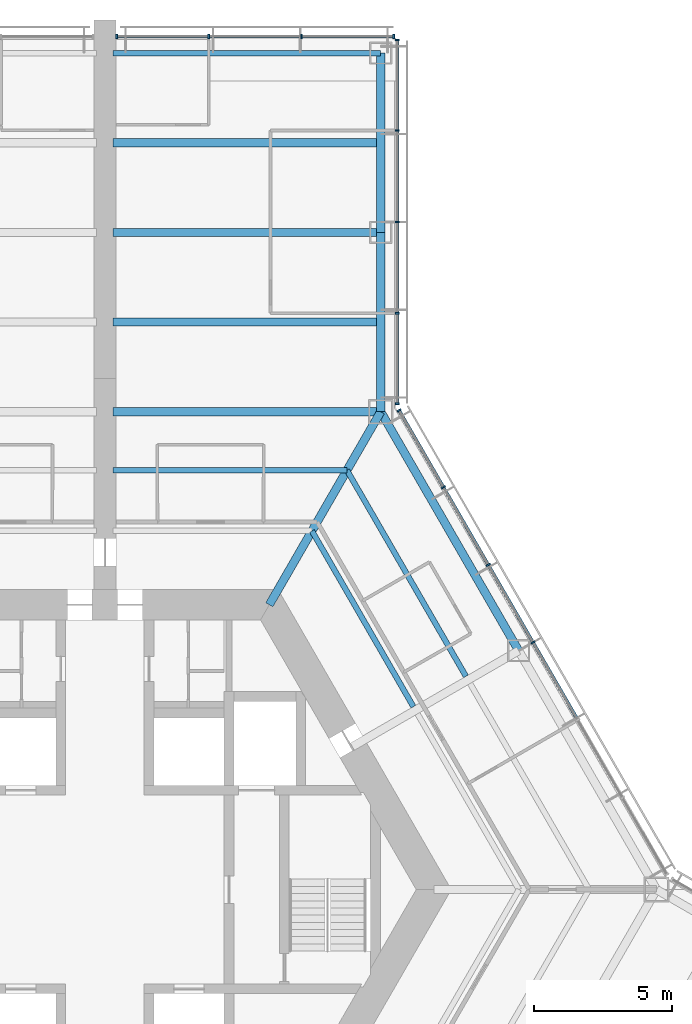
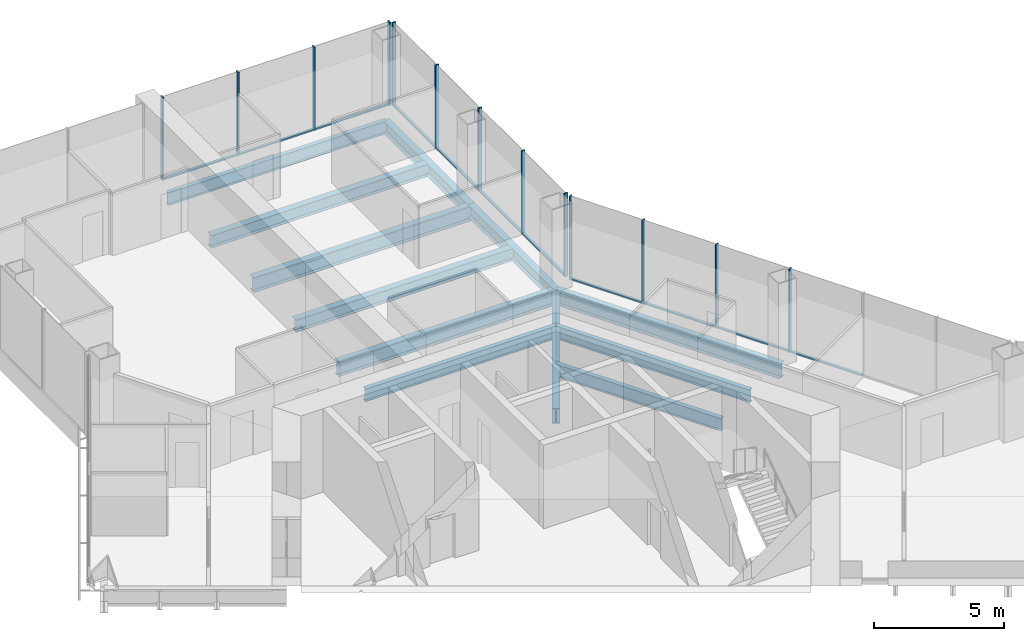
# One storey, part 8 of 19: 24 members, 12 beams, 3 elements without a shape of their own.
"""IFC4 building model written with IfcOpenShell, lengths in metres."""

from ifc_helpers import new_model, si_unit, direction, frame, origin, origin_2d, place, context, subcontext, project, spatial, rectangle, i_section, extrude, material, material_profile, profile_set, type_object, element, aggregate, save


model = new_model("IFC4")

# Units and contexts
model_context = context("Model", 3, precision=1e-05, world=origin(), true_north=direction((0.0, 1.0)))
body_context = subcontext(model_context, "Body", "Model", "MODEL_VIEW")
ifc_project = project(units=[si_unit("LENGTHUNIT", "METRE"), si_unit("AREAUNIT", "SQUARE_METRE"), si_unit("VOLUMEUNIT", "CUBIC_METRE"), si_unit("PLANEANGLEUNIT", "RADIAN"), si_unit("MASSUNIT", "GRAM", prefix="KILO")], contexts=[model_context])

# Site, building, storey
site_placement = place(None, origin())
site = spatial("IfcSite", under=ifc_project, at=site_placement, CompositionType="ELEMENT")
building_placement = place(site_placement, origin())
building = spatial("IfcBuilding", under=site, at=building_placement, Name="Kasaneha Research Tower", CompositionType="ELEMENT")
storey_placement = place(building_placement, frame((0.0, 0.0, 92.39990234375)))
storey = spatial("IfcBuildingStorey", under=building, at=storey_placement, Name="L23", CompositionType="ELEMENT", Elevation=92.39990234375)

# Beams
ifc_material_1 = material(Name="Steel SN490B", Category="steel")
ifc_material_profile_1 = material_profile(ifc_material_1, i_section(OverallWidth=0.199951171875, OverallDepth=0.60009765625, WebThickness=0.010986328125, FlangeThickness=0.01708984375, FilletRadius=0.012939453125, at=origin_2d()), Name="H-600x200x11x17")
ifc_profile_set_1 = profile_set([ifc_material_profile_1], Name="Steel SN490B")
beam_type_1 = type_object("IfcBeamType", Name="B1-3 secondary beam H-600x200x11x17", PredefinedType="JOIST", material=ifc_profile_set_1)
beam_1_placement = place(storey_placement, frame((7.505615234375, 13.0, -0.449951171875), z_axis=(0.499994443168, -0.866028611999, 0.0), x_axis=(0.866028611999, 0.499994443168, 0.0)))
element("IfcBeam", 1, at=beam_1_placement, inside=storey, type_object=beam_type_1, Name="Secondary beam RS030R1 L23", PredefinedType="JOIST", context=body_context, shape_type="SweptSolid", body=[
    extrude(i_section(OverallWidth=0.199951171875, OverallDepth=0.60009765625, WebThickness=0.010986328125, FlangeThickness=0.01708984375, FilletRadius=0.012939453125, at=origin_2d()), origin(), (0.0, 0.0, 1.0), 7.35546875),
])
beam_2_placement = place(storey_placement, frame((8.775634765625, 15.199951171875, -0.449951171875), z_axis=(0.500017275495, -0.866015429543, 0.0), x_axis=(0.866015429543, 0.500017275495, 0.0)))
element("IfcBeam", 2, at=beam_2_placement, inside=storey, type_object=beam_type_1, Name="Secondary beam RS030R2 L23", PredefinedType="JOIST", context=body_context, shape_type="SweptSolid", body=[
    extrude(i_section(OverallWidth=0.199951171875, OverallDepth=0.60009765625, WebThickness=0.010986328125, FlangeThickness=0.01708984375, FilletRadius=0.012939453125, at=origin_2d()), origin(), (0.0, 0.0, 1.0), 8.625732421875),
])
beam_3_placement = place(storey_placement, frame((8.775634765625, 15.199951171875, -0.449951171875), z_axis=(-1.0, 0.0, 0.0), x_axis=(0.0, -1.0, 0.0)))
element("IfcBeam", 3, at=beam_3_placement, inside=storey, type_object=beam_type_1, Name="Secondary beam RS090L2 L23", PredefinedType="JOIST", context=body_context, shape_type="SweptSolid", body=[
    extrude(i_section(OverallWidth=0.199951171875, OverallDepth=0.60009765625, WebThickness=0.010986328125, FlangeThickness=0.01708984375, FilletRadius=0.012939453125, at=origin_2d()), origin(), (0.0, 0.0, 1.0), 8.4755859375),
])
ifc_material_2 = material(Name="Steel SN490B", Category="steel")
ifc_material_profile_2 = material_profile(ifc_material_2, i_section(OverallWidth=0.300048828125, OverallDepth=0.58203125, WebThickness=0.011962890625, FlangeThickness=0.01708984375, FilletRadius=0.012939453125, at=origin_2d()), Name="H-582x300x12x17")
ifc_profile_set_2 = profile_set([ifc_material_profile_2], Name="Steel SN490B")
beam_type_2 = type_object("IfcBeamType", Name="B2-3 secondary beam H-582x300x12x17", PredefinedType="JOIST", material=ifc_profile_set_2)
for number, where, z_axis, x_axis, name in (
    (4, (10.0, 20.570556640625, -0.44091796875), (-1.0, 0.0, 0.0), (0.0, -1.0, 0.0), "Secondary beam WBAP1 L23"),
    (5, (10.0, 27.070556640625, -0.44091796875), (-1.0, 0.0, 0.0), (0.0, -1.0, 0.0), "Secondary beam WBAP2 L23"),
):
    element("IfcBeam", number, at=place(storey_placement, frame(where, z_axis=z_axis, x_axis=x_axis)), inside=storey, type_object=beam_type_2, Name=name, PredefinedType="JOIST", context=body_context, shape_type="SweptSolid", body=[
        extrude(i_section(OverallWidth=0.300048828125, OverallDepth=0.58203125, WebThickness=0.011962890625, FlangeThickness=0.01708984375, FilletRadius=0.012939453125, at=origin_2d()), origin(), (0.0, 0.0, 1.0), 9.699951171875),
    ])

# Curtain wall, members
ifc_material_3 = material(Name="Glass and aluminium", Category="aluminium")
curtain_wall_type = type_object("IfcCurtainWallType", Name="Low-rise office curtain wall", PredefinedType="USERDEFINED", material=ifc_material_3)
curtain_wall_1_placement = place(storey_placement, origin())
curtain_wall_1 = element("IfcCurtainWall", 6, at=curtain_wall_1_placement, inside=storey, type_object=curtain_wall_type, Name="CW-O1 L23 run 07a", ObjectType="UNITISED CURTAIN WALL", PredefinedType="USERDEFINED")
ifc_material_4 = material(Name="Aluminium 6063-T6", Category="aluminium")
ifc_material_profile_3 = material_profile(ifc_material_4, rectangle(XDim=0.06005859375, YDim=0.159912109375, at=origin_2d()), Name="CW-O1 mullion 60x160")
ifc_profile_set_3 = profile_set([ifc_material_profile_3], Name="Aluminium 6063-T6")
member_type_1 = type_object("IfcMemberType", Name="CW-O1 mullion", PredefinedType="MULLION", material=ifc_profile_set_3)
member_1_placement = place(storey_placement, frame((15.51953125, 8.960205078125, 0.0), z_axis=(0.0, 0.0, 1.0), x_axis=(-0.49999996188, 0.866025425793, 0.0)))
member_1 = element("IfcMember", 7, at=member_1_placement, type_object=member_type_1, Name="CW-O1 mullion 4", PredefinedType="MULLION", context=body_context, shape_type="SweptSolid", body=[
    extrude(rectangle(XDim=0.06005859375, YDim=0.159912109375, at=origin_2d()), origin(), (0.0, 0.0, 1.0), 3.900146484375),
])
member_2_placement = place(storey_placement, frame((13.896484375, 11.771728515625, 0.0), z_axis=(0.0, 0.0, 1.0), x_axis=(-0.49999996188, 0.866025425793, 0.0)))
member_2 = element("IfcMember", 8, at=member_2_placement, type_object=member_type_1, Name="CW-O1 mullion 5", PredefinedType="MULLION", context=body_context, shape_type="SweptSolid", body=[
    extrude(rectangle(XDim=0.06005859375, YDim=0.159912109375, at=origin_2d()), origin(), (0.0, 0.0, 1.0), 3.900146484375),
])
member_3_placement = place(storey_placement, frame((12.273193359375, 14.583251953125, 0.0), z_axis=(0.0, 0.0, 1.0), x_axis=(-0.49999996188, 0.866025425793, 0.0)))
member_3 = element("IfcMember", 9, at=member_3_placement, type_object=member_type_1, Name="CW-O1 mullion 6", PredefinedType="MULLION", context=body_context, shape_type="SweptSolid", body=[
    extrude(rectangle(XDim=0.06005859375, YDim=0.159912109375, at=origin_2d()), origin(), (0.0, 0.0, 1.0), 3.900146484375),
])
member_4_placement = place(storey_placement, frame((10.6650390625, 17.36865234375, 0.0), z_axis=(0.0, 0.0, 1.0), x_axis=(-0.49999996188, 0.866025425793, 0.0)))
member_4 = element("IfcMember", 10, at=member_4_placement, type_object=member_type_1, Name="CW-O1 mullion 7", PredefinedType="MULLION", context=body_context, shape_type="SweptSolid", body=[
    extrude(rectangle(XDim=0.06005859375, YDim=0.159912109375, at=origin_2d()), origin(), (0.0, 0.0, 1.0), 3.900146484375),
])

curtain_wall_2_placement = place(storey_placement, origin())
curtain_wall_2 = element("IfcCurtainWall", 11, at=curtain_wall_2_placement, inside=storey, type_object=curtain_wall_type, Name="CW-O1 L23 run 08a", ObjectType="UNITISED CURTAIN WALL", PredefinedType="USERDEFINED")
member_5_placement = place(storey_placement, frame((10.60009765625, 17.611328125, 0.0), z_axis=(0.0, 0.0, 1.0), x_axis=(0.0, 1.0, 0.0)))
member_5 = element("IfcMember", 12, at=member_5_placement, type_object=member_type_1, Name="CW-O1 mullion 1", PredefinedType="MULLION", context=body_context, shape_type="SweptSolid", body=[
    extrude(rectangle(XDim=0.06005859375, YDim=0.159912109375, at=origin_2d()), origin(), (0.0, 0.0, 1.0), 3.900146484375),
])
member_6_placement = place(storey_placement, frame((10.60009765625, 20.89111328125, 0.0), z_axis=(0.0, 0.0, 1.0), x_axis=(0.0, 1.0, 0.0)))
member_6 = element("IfcMember", 13, at=member_6_placement, type_object=member_type_1, Name="CW-O1 mullion 2", PredefinedType="MULLION", context=body_context, shape_type="SweptSolid", body=[
    extrude(rectangle(XDim=0.06005859375, YDim=0.159912109375, at=origin_2d()), origin(), (0.0, 0.0, 1.0), 3.900146484375),
])
member_7_placement = place(storey_placement, frame((10.60009765625, 24.200927734375, 0.0), z_axis=(0.0, 0.0, 1.0), x_axis=(0.0, 1.0, 0.0)))
member_7 = element("IfcMember", 14, at=member_7_placement, type_object=member_type_1, Name="CW-O1 mullion 3", PredefinedType="MULLION", context=body_context, shape_type="SweptSolid", body=[
    extrude(rectangle(XDim=0.06005859375, YDim=0.159912109375, at=origin_2d()), origin(), (0.0, 0.0, 1.0), 3.900146484375),
])
member_8_placement = place(storey_placement, frame((10.60009765625, 27.5107421875, 0.0), z_axis=(0.0, 0.0, 1.0), x_axis=(0.0, 1.0, 0.0)))
member_8 = element("IfcMember", 15, at=member_8_placement, type_object=member_type_1, Name="CW-O1 mullion 4", PredefinedType="MULLION", context=body_context, shape_type="SweptSolid", body=[
    extrude(rectangle(XDim=0.06005859375, YDim=0.159912109375, at=origin_2d()), origin(), (0.0, 0.0, 1.0), 3.900146484375),
])
member_9_placement = place(storey_placement, frame((10.60009765625, 30.79052734375, 0.0), z_axis=(0.0, 0.0, 1.0), x_axis=(0.0, 1.0, 0.0)))
member_9 = element("IfcMember", 16, at=member_9_placement, type_object=member_type_1, Name="CW-O1 mullion 5", PredefinedType="MULLION", context=body_context, shape_type="SweptSolid", body=[
    extrude(rectangle(XDim=0.06005859375, YDim=0.159912109375, at=origin_2d()), origin(), (0.0, 0.0, 1.0), 3.900146484375),
])

curtain_wall_3_placement = place(storey_placement, origin())
curtain_wall_3 = element("IfcCurtainWall", 17, at=curtain_wall_3_placement, inside=storey, type_object=curtain_wall_type, Name="CW-O1 L23 run 09a", ObjectType="UNITISED CURTAIN WALL", PredefinedType="USERDEFINED")
member_10_placement = place(storey_placement, frame((10.469970703125, 30.92041015625, 0.0), z_axis=(0.0, 0.0, 1.0), x_axis=(-1.0, 0.0, 0.0)))
member_10 = element("IfcMember", 18, at=member_10_placement, type_object=member_type_1, Name="CW-O1 mullion 1", PredefinedType="MULLION", context=body_context, shape_type="SweptSolid", body=[
    extrude(rectangle(XDim=0.06005859375, YDim=0.159912109375, at=origin_2d()), origin(), (0.0, 0.0, 1.0), 3.900146484375),
])
member_11_placement = place(storey_placement, frame((7.13330078125, 30.92041015625, 0.0), z_axis=(0.0, 0.0, 1.0), x_axis=(-1.0, 0.0, 0.0)))
member_11 = element("IfcMember", 19, at=member_11_placement, type_object=member_type_1, Name="CW-O1 mullion 2", PredefinedType="MULLION", context=body_context, shape_type="SweptSolid", body=[
    extrude(rectangle(XDim=0.06005859375, YDim=0.159912109375, at=origin_2d()), origin(), (0.0, 0.0, 1.0), 3.900146484375),
])
member_12_placement = place(storey_placement, frame((3.7666015625, 30.92041015625, 0.0), z_axis=(0.0, 0.0, 1.0), x_axis=(-1.0, 0.0, 0.0)))
member_12 = element("IfcMember", 20, at=member_12_placement, type_object=member_type_1, Name="CW-O1 mullion 3", PredefinedType="MULLION", context=body_context, shape_type="SweptSolid", body=[
    extrude(rectangle(XDim=0.06005859375, YDim=0.159912109375, at=origin_2d()), origin(), (0.0, 0.0, 1.0), 3.900146484375),
])
member_13_placement = place(storey_placement, frame((0.429931640625, 30.92041015625, 0.0), z_axis=(0.0, 0.0, 1.0), x_axis=(-1.0, 0.0, 0.0)))
member_13 = element("IfcMember", 21, at=member_13_placement, type_object=member_type_1, Name="CW-O1 mullion 4", PredefinedType="MULLION", context=body_context, shape_type="SweptSolid", body=[
    extrude(rectangle(XDim=0.06005859375, YDim=0.159912109375, at=origin_2d()), origin(), (0.0, 0.0, 1.0), 3.900146484375),
])

# Member
ifc_material_5 = material(Name="Aluminium 6063-T6", Category="aluminium")
ifc_material_profile_4 = material_profile(ifc_material_5, rectangle(XDim=0.1201171875, YDim=0.06005859375, at=origin_2d()), Name="CW-O1 transom 120x60")
ifc_profile_set_4 = profile_set([ifc_material_profile_4], Name="Aluminium 6063-T6")
member_type_2 = type_object("IfcMemberType", Name="CW-O1 transom", PredefinedType="USERDEFINED", material=ifc_profile_set_4)
member_14_placement = place(storey_placement, frame((17.1279296875, 6.1748046875, 0.030029296875), z_axis=(-0.500012062035, 0.866018439653, 0.0), x_axis=(-0.866018439653, -0.500012062035, 0.0)))
member_14 = element("IfcMember", 22, at=member_14_placement, type_object=member_type_2, Name="CW-O1 transom 3", ObjectType="TRANSOM", PredefinedType="USERDEFINED", context=body_context, shape_type="SweptSolid", body=[
    extrude(rectangle(XDim=0.1201171875, YDim=0.06005859375, at=origin_2d()), origin(), (0.0, 0.0, 1.0), 3.1865234375),
])

member_15_placement = place(storey_placement, frame((15.504638671875, 8.986328125, 0.030029296875), z_axis=(-0.500012062035, 0.866018439653, 0.0), x_axis=(-0.866018439653, -0.500012062035, 0.0)))
member_15 = element("IfcMember", 23, at=member_15_placement, type_object=member_type_2, Name="CW-O1 transom 4", ObjectType="TRANSOM", PredefinedType="USERDEFINED", context=body_context, shape_type="SweptSolid", body=[
    extrude(rectangle(XDim=0.1201171875, YDim=0.06005859375, at=origin_2d()), origin(), (0.0, 0.0, 1.0), 3.1865234375),
])

member_16_placement = place(storey_placement, frame((13.88134765625, 11.797607421875, 0.030029296875), z_axis=(-0.500012062035, 0.866018439653, 0.0), x_axis=(-0.866018439653, -0.500012062035, 0.0)))
member_16 = element("IfcMember", 24, at=member_16_placement, type_object=member_type_2, Name="CW-O1 transom 5", ObjectType="TRANSOM", PredefinedType="USERDEFINED", context=body_context, shape_type="SweptSolid", body=[
    extrude(rectangle(XDim=0.1201171875, YDim=0.06005859375, at=origin_2d()), origin(), (0.0, 0.0, 1.0), 3.1865234375),
])

member_17_placement = place(storey_placement, frame((12.25830078125, 14.609130859375, 0.030029296875), z_axis=(-0.500023726918, 0.866011704609, 0.0), x_axis=(-0.866011704609, -0.500023726918, 0.0)))
member_17 = element("IfcMember", 25, at=member_17_placement, type_object=member_type_2, Name="CW-O1 transom 6", ObjectType="TRANSOM", PredefinedType="USERDEFINED", context=body_context, shape_type="SweptSolid", body=[
    extrude(rectangle(XDim=0.1201171875, YDim=0.06005859375, at=origin_2d()), origin(), (0.0, 0.0, 1.0), 3.156494140625),
])

aggregate(curtain_wall_1, [member_1, member_2, member_3, member_4, member_14, member_15, member_16, member_17])

member_18_placement = place(storey_placement, frame((10.60009765625, 17.641357421875, 0.030029296875), z_axis=(0.0, 1.0, 0.0), x_axis=(-1.0, 0.0, 0.0)))
member_18 = element("IfcMember", 26, at=member_18_placement, type_object=member_type_2, Name="CW-O1 transom 1", ObjectType="TRANSOM", PredefinedType="USERDEFINED", context=body_context, shape_type="SweptSolid", body=[
    extrude(rectangle(XDim=0.1201171875, YDim=0.06005859375, at=origin_2d()), origin(), (0.0, 0.0, 1.0), 3.2197265625),
])

member_19_placement = place(storey_placement, frame((10.60009765625, 20.921142578125, 0.030029296875), z_axis=(0.0, 1.0, 0.0), x_axis=(-1.0, 0.0, 0.0)))
member_19 = element("IfcMember", 27, at=member_19_placement, type_object=member_type_2, Name="CW-O1 transom 2", ObjectType="TRANSOM", PredefinedType="USERDEFINED", context=body_context, shape_type="SweptSolid", body=[
    extrude(rectangle(XDim=0.1201171875, YDim=0.06005859375, at=origin_2d()), origin(), (0.0, 0.0, 1.0), 3.249755859375),
])

member_20_placement = place(storey_placement, frame((10.60009765625, 24.23095703125, 0.030029296875), z_axis=(0.0, 1.0, 0.0), x_axis=(-1.0, 0.0, 0.0)))
member_20 = element("IfcMember", 28, at=member_20_placement, type_object=member_type_2, Name="CW-O1 transom 3", ObjectType="TRANSOM", PredefinedType="USERDEFINED", context=body_context, shape_type="SweptSolid", body=[
    extrude(rectangle(XDim=0.1201171875, YDim=0.06005859375, at=origin_2d()), origin(), (0.0, 0.0, 1.0), 3.249755859375),
])

member_21_placement = place(storey_placement, frame((10.60009765625, 27.540771484375, 0.030029296875), z_axis=(0.0, 1.0, 0.0), x_axis=(-1.0, 0.0, 0.0)))
member_21 = element("IfcMember", 29, at=member_21_placement, type_object=member_type_2, Name="CW-O1 transom 4", ObjectType="TRANSOM", PredefinedType="USERDEFINED", context=body_context, shape_type="SweptSolid", body=[
    extrude(rectangle(XDim=0.1201171875, YDim=0.06005859375, at=origin_2d()), origin(), (0.0, 0.0, 1.0), 3.2197265625),
])

aggregate(curtain_wall_2, [member_5, member_6, member_7, member_8, member_9, member_18, member_19, member_20, member_21])

member_22_placement = place(storey_placement, frame((10.43994140625, 30.92041015625, 0.030029296875), z_axis=(-1.0, 0.0, 0.0), x_axis=(0.0, -1.0, 0.0)))
member_22 = element("IfcMember", 30, at=member_22_placement, type_object=member_type_2, Name="CW-O1 transom 1", ObjectType="TRANSOM", PredefinedType="USERDEFINED", context=body_context, shape_type="SweptSolid", body=[
    extrude(rectangle(XDim=0.1201171875, YDim=0.06005859375, at=origin_2d()), origin(), (0.0, 0.0, 1.0), 3.276611328125),
])

member_23_placement = place(storey_placement, frame((7.103271484375, 30.92041015625, 0.030029296875), z_axis=(-1.0, 0.0, 0.0), x_axis=(0.0, -1.0, 0.0)))
member_23 = element("IfcMember", 31, at=member_23_placement, type_object=member_type_2, Name="CW-O1 transom 2", ObjectType="TRANSOM", PredefinedType="USERDEFINED", context=body_context, shape_type="SweptSolid", body=[
    extrude(rectangle(XDim=0.1201171875, YDim=0.06005859375, at=origin_2d()), origin(), (0.0, 0.0, 1.0), 3.306640625),
])

member_24_placement = place(storey_placement, frame((3.736572265625, 30.92041015625, 0.030029296875), z_axis=(-1.0, 0.0, 0.0), x_axis=(0.0, -1.0, 0.0)))
member_24 = element("IfcMember", 32, at=member_24_placement, type_object=member_type_2, Name="CW-O1 transom 3", ObjectType="TRANSOM", PredefinedType="USERDEFINED", context=body_context, shape_type="SweptSolid", body=[
    extrude(rectangle(XDim=0.1201171875, YDim=0.06005859375, at=origin_2d()), origin(), (0.0, 0.0, 1.0), 3.276611328125),
])

aggregate(curtain_wall_3, [member_10, member_11, member_12, member_13, member_22, member_23, member_24])

# Beams
ifc_material_6 = material(Name="Steel SN490B", Category="steel")
ifc_material_profile_5 = material_profile(ifc_material_6, i_section(OverallWidth=0.300048828125, OverallDepth=0.699951171875, WebThickness=0.012939453125, FlangeThickness=0.02392578125, FilletRadius=0.01806640625, at=origin_2d()), Name="H-700x300x13x24")
ifc_profile_set_5 = profile_set([ifc_material_profile_5], Name="Steel SN490B")
beam_type_3 = type_object("IfcBeamType", Name="G1-3 radial girder H-700x300x13x24", PredefinedType="BEAM", material=ifc_profile_set_5)
beam_4_placement = place(storey_placement, frame((5.961181640625, 10.324951171875, -0.5), z_axis=(0.49999105496, 0.866030568144, 0.0), x_axis=(-0.866030568144, 0.49999105496, 0.0)))
element("IfcBeam", 33, at=beam_4_placement, inside=storey, type_object=beam_type_3, Name="Radial girder RV060 L23", PredefinedType="BEAM", context=body_context, shape_type="SweptSolid", body=[
    extrude(i_section(OverallWidth=0.300048828125, OverallDepth=0.699951171875, WebThickness=0.012939453125, FlangeThickness=0.02392578125, FilletRadius=0.01806640625, at=origin_2d()), origin(), (0.0, 0.0, 1.0), 8.077880859375),
])
ifc_material_7 = material(Name="Steel SN490B", Category="steel")
ifc_material_profile_6 = material_profile(ifc_material_7, i_section(OverallWidth=0.300048828125, OverallDepth=0.69189453125, WebThickness=0.012939453125, FlangeThickness=0.02001953125, FilletRadius=0.01806640625, at=origin_2d()), Name="H-692x300x13x20")
ifc_profile_set_6 = profile_set([ifc_material_profile_6], Name="Steel SN490B")
beam_type_4 = type_object("IfcBeamType", Name="G3-3 plate edge girder H-692x300x13x20", PredefinedType="BEAM", material=ifc_profile_set_6)
beam_5_placement = place(storey_placement, frame((10.0, 17.320556640625, -0.495849609375), z_axis=(-1.0, 0.0, 0.0), x_axis=(0.0, -1.0, 0.0)))
element("IfcBeam", 34, at=beam_5_placement, inside=storey, type_object=beam_type_4, Name="Plate edge girder PEAP L23", PredefinedType="BEAM", context=body_context, shape_type="SweptSolid", body=[
    extrude(i_section(OverallWidth=0.300048828125, OverallDepth=0.69189453125, WebThickness=0.012939453125, FlangeThickness=0.02001953125, FilletRadius=0.01806640625, at=origin_2d()), origin(), (0.0, 0.0, 1.0), 9.699951171875),
])
ifc_material_8 = material(Name="Steel SN490B", Category="steel")
ifc_material_profile_7 = material_profile(ifc_material_8, i_section(OverallWidth=0.300048828125, OverallDepth=0.699951171875, WebThickness=0.012939453125, FlangeThickness=0.02392578125, FilletRadius=0.01806640625, at=origin_2d()), Name="H-700x300x13x24")
ifc_profile_set_7 = profile_set([ifc_material_profile_7], Name="Steel SN490B")
beam_type_5 = type_object("IfcBeamType", Name="G4-3 wing girder H-700x300x13x24", PredefinedType="BEAM", material=ifc_profile_set_7)
beam_6_placement = place(storey_placement, frame((10.0, 23.820556640625, -0.5), z_axis=(-1.0, 0.0, 0.0), x_axis=(0.0, -1.0, 0.0)))
element("IfcBeam", 35, at=beam_6_placement, inside=storey, type_object=beam_type_5, Name="Wing girder WGAP L23", PredefinedType="BEAM", context=body_context, shape_type="SweptSolid", body=[
    extrude(i_section(OverallWidth=0.300048828125, OverallDepth=0.699951171875, WebThickness=0.012939453125, FlangeThickness=0.02392578125, FilletRadius=0.01806640625, at=origin_2d()), origin(), (0.0, 0.0, 1.0), 9.699951171875),
])
ifc_material_9 = material(Name="Steel SN490B", Category="steel")
ifc_material_profile_8 = material_profile(ifc_material_9, i_section(OverallWidth=0.300048828125, OverallDepth=0.69189453125, WebThickness=0.012939453125, FlangeThickness=0.02001953125, FilletRadius=0.01806640625, at=origin_2d()), Name="H-692x300x13x20")
ifc_profile_set_8 = profile_set([ifc_material_profile_8], Name="Steel SN490B")
beam_type_6 = type_object("IfcBeamType", Name="SB1-3 spandrel beam H-692x300x13x20", PredefinedType="SPANDREL", material=ifc_profile_set_8)
beam_7_placement = place(storey_placement, frame((10.0, 17.320556640625, -0.495849609375), z_axis=(0.499993662806, -0.866029062534, 0.0), x_axis=(0.866029062534, 0.499993662806, 0.0)))
element("IfcBeam", 36, at=beam_7_placement, inside=storey, type_object=beam_type_6, Name="Spandrel beam SR030R L23", PredefinedType="SPANDREL", context=body_context, shape_type="SweptSolid", body=[
    extrude(i_section(OverallWidth=0.300048828125, OverallDepth=0.69189453125, WebThickness=0.012939453125, FlangeThickness=0.02001953125, FilletRadius=0.01806640625, at=origin_2d()), origin(), (0.0, 0.0, 1.0), 10.000244140625),
])
ifc_material_10 = material(Name="Steel SN490B", Category="steel")
ifc_material_profile_9 = material_profile(ifc_material_10, i_section(OverallWidth=0.300048828125, OverallDepth=0.58203125, WebThickness=0.011962890625, FlangeThickness=0.01708984375, FilletRadius=0.012939453125, at=origin_2d()), Name="H-582x300x12x17")
ifc_profile_set_9 = profile_set([ifc_material_profile_9], Name="Steel SN490B")
beam_type_7 = type_object("IfcBeamType", Name="SB2-3 spandrel beam H-582x300x12x17", PredefinedType="SPANDREL", material=ifc_profile_set_9)
for number, where, z_axis, x_axis, name in (
    (37, (10.0, 17.320556640625, -0.44091796875), (0.0, 1.0, 0.0), (-1.0, 0.0, 0.0), "Spandrel beam WSAP1 L23"),
    (38, (10.0, 23.820556640625, -0.44091796875), (0.0, 1.0, 0.0), (-1.0, 0.0, 0.0), "Spandrel beam WSAP2 L23"),
):
    element("IfcBeam", number, at=place(storey_placement, frame(where, z_axis=z_axis, x_axis=x_axis)), inside=storey, type_object=beam_type_7, Name=name, PredefinedType="SPANDREL", context=body_context, shape_type="SweptSolid", body=[
        extrude(i_section(OverallWidth=0.300048828125, OverallDepth=0.58203125, WebThickness=0.011962890625, FlangeThickness=0.01708984375, FilletRadius=0.012939453125, at=origin_2d()), origin(), (0.0, 0.0, 1.0), 6.5),
    ])
ifc_material_11 = material(Name="Steel SN490B", Category="steel")
ifc_material_profile_10 = material_profile(ifc_material_11, i_section(OverallWidth=0.199951171875, OverallDepth=0.60009765625, WebThickness=0.010986328125, FlangeThickness=0.01708984375, FilletRadius=0.012939453125, at=origin_2d()), Name="H-600x200x11x17")
ifc_profile_set_10 = profile_set([ifc_material_profile_10], Name="Steel SN490B")
beam_type_8 = type_object("IfcBeamType", Name="SB3-3 spandrel beam H-600x200x11x17", PredefinedType="SPANDREL", material=ifc_profile_set_10)
beam_8_placement = place(storey_placement, frame((10.0, 30.320556640625, -0.449951171875), z_axis=(-1.0, 0.0, 0.0), x_axis=(0.0, -1.0, 0.0)))
element("IfcBeam", 39, at=beam_8_placement, inside=storey, type_object=beam_type_8, Name="Spandrel beam WTAP L23", PredefinedType="SPANDREL", context=body_context, shape_type="SweptSolid", body=[
    extrude(i_section(OverallWidth=0.199951171875, OverallDepth=0.60009765625, WebThickness=0.010986328125, FlangeThickness=0.01708984375, FilletRadius=0.012939453125, at=origin_2d()), origin(), (0.0, 0.0, 1.0), 9.699951171875),
])

save(model, "model.ifc")
